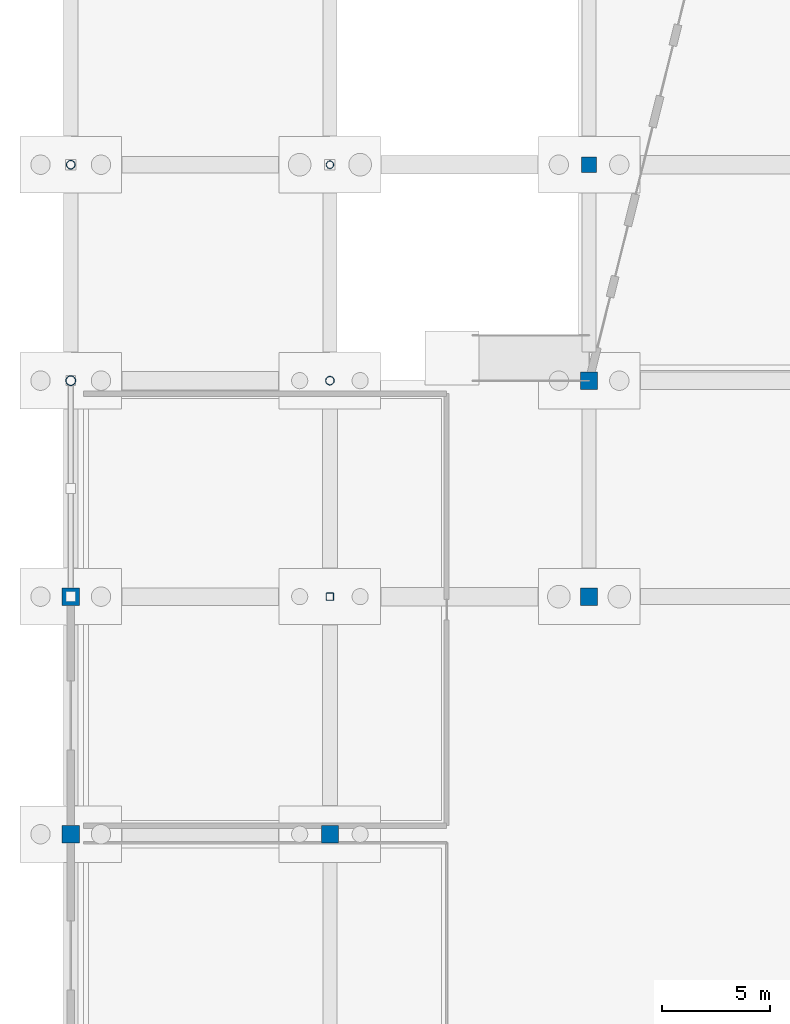
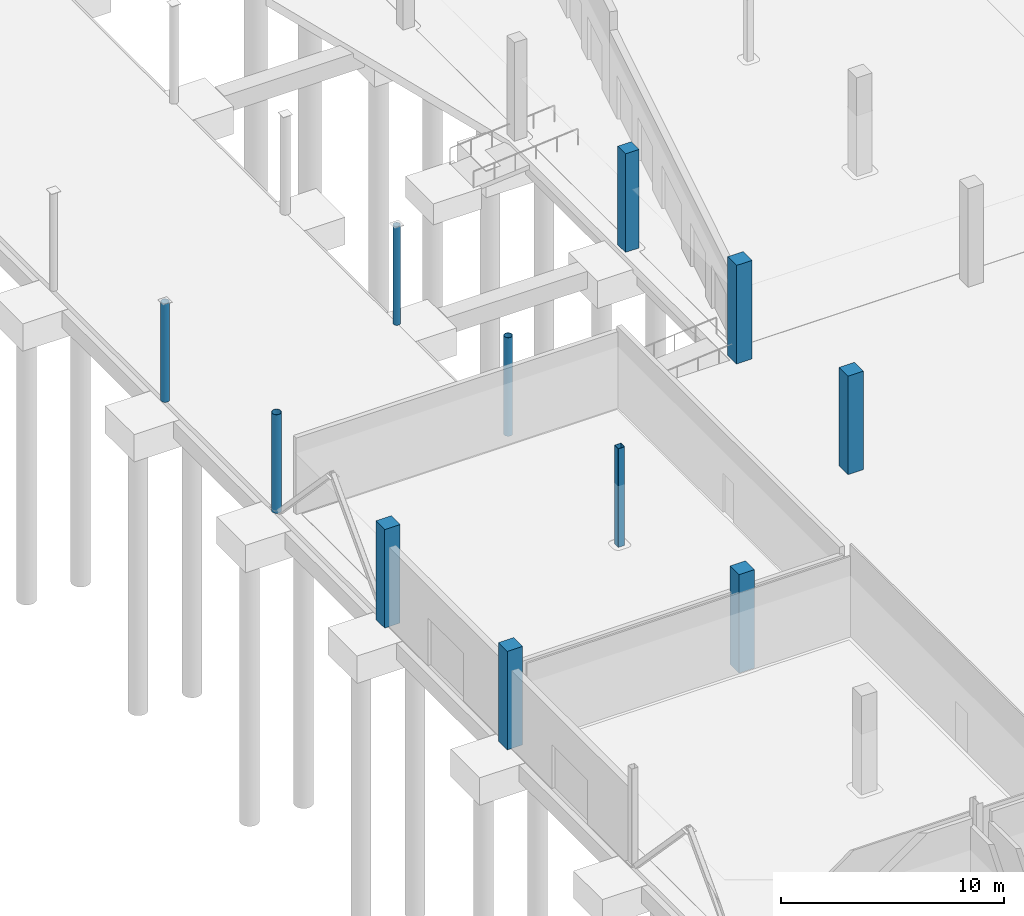
# One storey, part 12 of 70: 11 columns.
"""IFC4 building model written with IfcOpenShell, lengths in metres."""

from ifc_helpers import new_model, si_unit, direction, frame, origin, origin_2d, place, context, subcontext, project, spatial, rectangle, hollow_rectangle, hollow_circle, extrude, material, material_profile, profile_set, type_object, element, save


model = new_model("IFC4")

# Units and contexts
model_context = context("Model", 3, precision=1e-05, world=origin(), true_north=direction((0.0, 1.0)))
body_context = subcontext(model_context, "Body", "Model", "MODEL_VIEW")
ifc_project = project(units=[si_unit("LENGTHUNIT", "METRE"), si_unit("AREAUNIT", "SQUARE_METRE"), si_unit("VOLUMEUNIT", "CUBIC_METRE"), si_unit("PLANEANGLEUNIT", "RADIAN"), si_unit("MASSUNIT", "GRAM", prefix="KILO")], contexts=[model_context])

# Site, building, storey
site_placement = place(None, origin())
site = spatial("IfcSite", under=ifc_project, at=site_placement, CompositionType="ELEMENT")
building_placement = place(site_placement, origin())
building = spatial("IfcBuilding", under=site, at=building_placement, Name="Brinegate Civic Arena", CompositionType="ELEMENT")
storey_placement = place(building_placement, origin())
storey = spatial("IfcBuildingStorey", under=building, at=storey_placement, Name="L00", CompositionType="ELEMENT", Elevation=0.0)

# Columns
ifc_material_1 = material(Name="Concrete C50/60", Category="concrete")
ifc_material_profile_1 = material_profile(ifc_material_1, rectangle(XDim=0.800048828125, YDim=0.800048828125, at=origin_2d()), Name="RC800X800")
ifc_profile_set_1 = profile_set([ifc_material_profile_1], Name="Concrete C50/60")
column_type_1 = type_object("IfcColumnType", Name="COL-CC07-800", PredefinedType="COLUMN", material=ifc_profile_set_1)
for number, where, z_axis, x_axis, name in (
    (1, (0.0, 31.0, 0.0), (0.0, 0.0, 1.0), (1.0, 0.0, 0.0), "Column COL-L00-1-D"),
    (2, (0.0, 42.0, 0.0), (0.0, 0.0, 1.0), (1.0, 0.0, 0.0), "Column COL-L00-1-E"),
    (3, (12.0, 31.0, 0.0), (0.0, 0.0, 1.0), (1.0, 0.0, 0.0), "Column COL-L00-2-D"),
    (4, (24.0, 42.0, 0.0), (0.0, 0.0, 1.0), (1.0, 0.0, 0.0), "Column COL-L00-3-E"),
    (5, (24.0, 52.0, 0.0), (0.0, 0.0, 1.0), (1.0, 0.0, 0.0), "Column COL-L00-3-F"),
):
    element("IfcColumn", number, at=place(storey_placement, frame(where, z_axis=z_axis, x_axis=x_axis)), inside=storey, type_object=column_type_1, Name=name, PredefinedType="COLUMN", context=body_context, shape_type="SweptSolid", body=[
        extrude(rectangle(XDim=0.800048828125, YDim=0.800048828125, at=origin_2d()), origin(), (0.0, 0.0, 1.0), 5.39990234375),
    ])
ifc_material_profile_2 = material_profile(ifc_material_1, rectangle(XDim=0.699951171875, YDim=0.699951171875, at=origin_2d()), Name="RC700X700")
ifc_profile_set_2 = profile_set([ifc_material_profile_2], Name="Concrete C50/60")
column_type_2 = type_object("IfcColumnType", Name="COL-CC09-700", PredefinedType="COLUMN", material=ifc_profile_set_2)
column_1_placement = place(storey_placement, frame((24.0, 62.0, 0.0), z_axis=(0.0, 0.0, 1.0), x_axis=(1.0, 0.0, 0.0)))
element("IfcColumn", 6, at=column_1_placement, inside=storey, type_object=column_type_2, Name="Column COL-L00-3-G", PredefinedType="COLUMN", context=body_context, shape_type="SweptSolid", body=[
    extrude(rectangle(XDim=0.699951171875, YDim=0.699951171875, at=origin_2d()), origin(), (0.0, 0.0, 1.0), 5.39990234375),
])
ifc_material_2 = material(Name="Steel S355", Category="steel")
ifc_material_profile_3 = material_profile(ifc_material_2, hollow_circle(Radius=0.228515625, WallThickness=0.01611328125, at=origin_2d()), Name="CHS457X16")
ifc_profile_set_3 = profile_set([ifc_material_profile_3], Name="Steel S355")
column_type_3 = type_object("IfcColumnType", Name="COL-CP01-CHS457", PredefinedType="PILASTER", material=ifc_profile_set_3)
column_2_placement = place(storey_placement, frame((0.0, 52.0, 0.0), z_axis=(0.0, 0.0, 1.0), x_axis=(1.0, 0.0, 0.0)))
element("IfcColumn", 7, at=column_2_placement, inside=storey, type_object=column_type_3, Name="Column COL-L00-1-F", PredefinedType="PILASTER", context=body_context, shape_type="SweptSolid", body=[
    extrude(hollow_circle(Radius=0.228515625, WallThickness=0.01611328125, at=origin_2d()), origin(), (0.0, 0.0, 1.0), 5.39990234375),
])
ifc_material_profile_4 = material_profile(ifc_material_2, hollow_circle(Radius=0.202880859375, WallThickness=0.01611328125, at=origin_2d()), Name="CHS406X16")
ifc_profile_set_4 = profile_set([ifc_material_profile_4], Name="Steel S355")
column_type_4 = type_object("IfcColumnType", Name="COL-CP02-CHS406", PredefinedType="PILASTER", material=ifc_profile_set_4)
for number, where, z_axis, x_axis, name in (
    (8, (0.0, 62.0, 0.0), (0.0, 0.0, 1.0), (1.0, 0.0, 0.0), "Column COL-L00-1-G"),
    (9, (12.0, 52.0, 0.0), (0.0, 0.0, 1.0), (1.0, 0.0, 0.0), "Column COL-L00-2-F"),
):
    element("IfcColumn", number, at=place(storey_placement, frame(where, z_axis=z_axis, x_axis=x_axis)), inside=storey, type_object=column_type_4, Name=name, PredefinedType="PILASTER", context=body_context, shape_type="SweptSolid", body=[
        extrude(hollow_circle(Radius=0.202880859375, WallThickness=0.01611328125, at=origin_2d()), origin(), (0.0, 0.0, 1.0), 5.39990234375),
    ])
ifc_material_profile_5 = material_profile(ifc_material_2, hollow_circle(Radius=0.177978515625, WallThickness=0.013916015625, at=origin_2d()), Name="CHS356X14")
ifc_profile_set_5 = profile_set([ifc_material_profile_5], Name="Steel S355")
column_type_5 = type_object("IfcColumnType", Name="COL-CP03-CHS356", PredefinedType="PILASTER", material=ifc_profile_set_5)
column_3_placement = place(storey_placement, frame((12.0, 62.0, 0.0), z_axis=(0.0, 0.0, 1.0), x_axis=(1.0, 0.0, 0.0)))
element("IfcColumn", 10, at=column_3_placement, inside=storey, type_object=column_type_5, Name="Column COL-L00-2-G", PredefinedType="PILASTER", context=body_context, shape_type="SweptSolid", body=[
    extrude(hollow_circle(Radius=0.177978515625, WallThickness=0.013916015625, at=origin_2d()), origin(), (0.0, 0.0, 1.0), 5.39990234375),
])
ifc_material_profile_6 = material_profile(ifc_material_2, hollow_rectangle(XDim=0.35009765625, YDim=0.35009765625, WallThickness=0.01611328125, InnerFilletRadius=0.01611328125, OuterFilletRadius=0.031982421875, at=origin_2d()), Name="SHS350X16")
ifc_profile_set_6 = profile_set([ifc_material_profile_6], Name="Steel S355")
column_type_6 = type_object("IfcColumnType", Name="COL-SC04-SHS350", PredefinedType="COLUMN", material=ifc_profile_set_6)
column_4_placement = place(storey_placement, frame((12.0, 42.0, 0.0), z_axis=(0.0, 0.0, 1.0), x_axis=(1.0, 0.0, 0.0)))
element("IfcColumn", 11, at=column_4_placement, inside=storey, type_object=column_type_6, Name="Column COL-L00-2-E", PredefinedType="COLUMN", context=body_context, shape_type="SweptSolid", body=[
    extrude(hollow_rectangle(XDim=0.35009765625, YDim=0.35009765625, WallThickness=0.01611328125, InnerFilletRadius=0.01611328125, OuterFilletRadius=0.031982421875, at=origin_2d()), origin(), (0.0, 0.0, 1.0), 5.39990234375),
])

save(model, "model.ifc")
